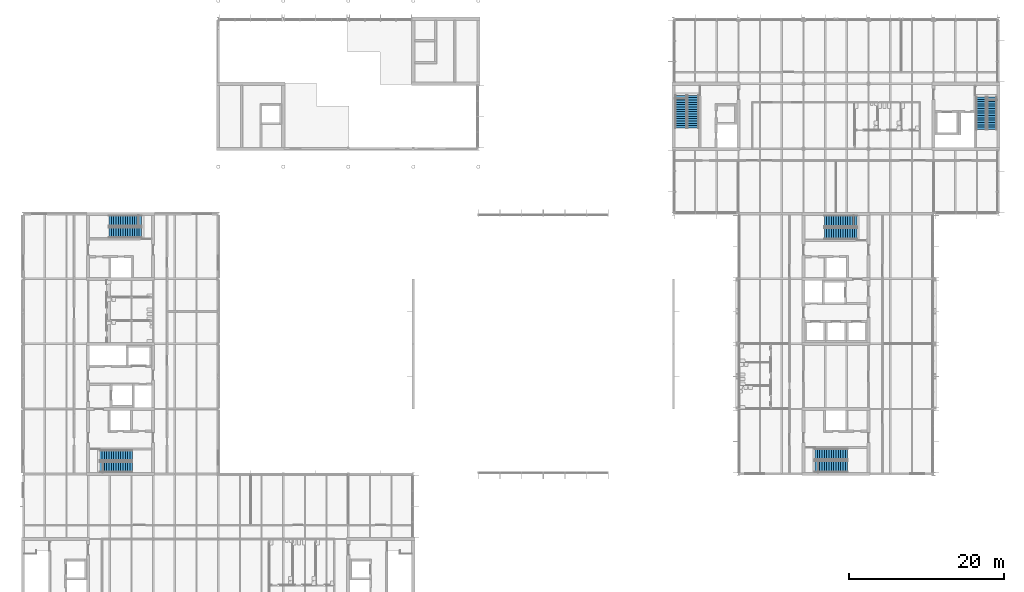
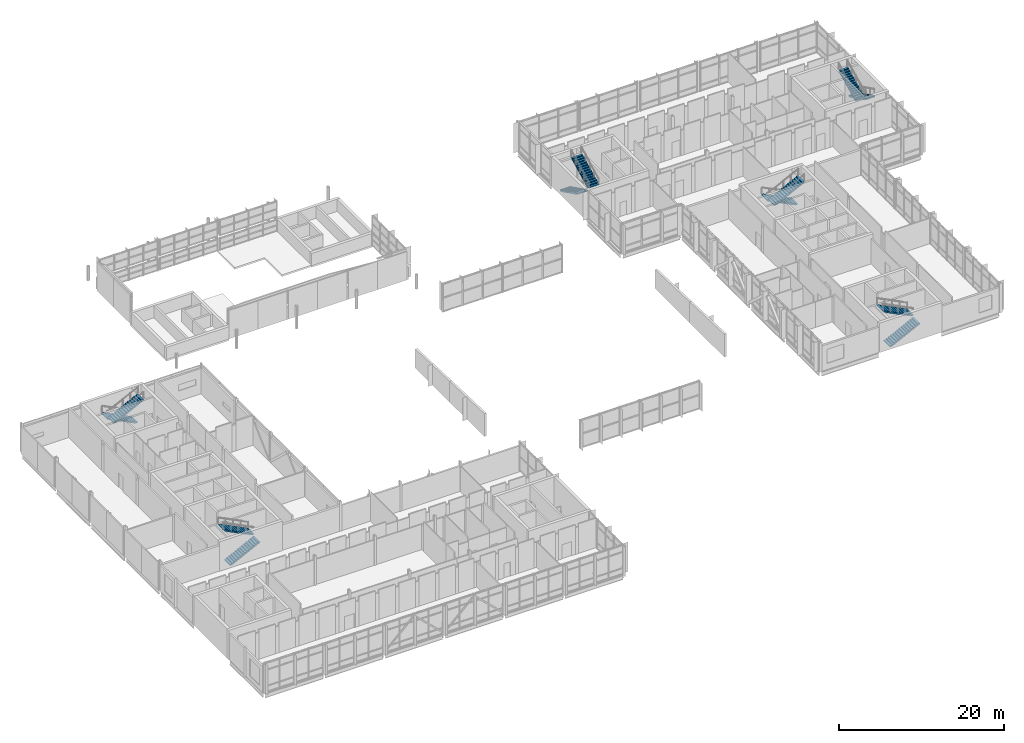
# One storey, part 50 of 72: 12 stair flights, 6 elements without a shape of their own.
"""IFC4 building model written with IfcOpenShell, lengths in metres."""

from ifc_helpers import new_model, si_unit, direction, frame, origin, place, context, subcontext, project, spatial, polyline, outline, extrude, material, type_object, element, aggregate, save


model = new_model("IFC4")

# Units and contexts
model_context = context("Model", 3, precision=1e-05, world=origin(), true_north=direction((0.0, 1.0)))
body_context = subcontext(model_context, "Body", "Model", "MODEL_VIEW")
ifc_project = project(units=[si_unit("LENGTHUNIT", "METRE"), si_unit("AREAUNIT", "SQUARE_METRE"), si_unit("VOLUMEUNIT", "CUBIC_METRE"), si_unit("PLANEANGLEUNIT", "RADIAN"), si_unit("MASSUNIT", "GRAM", prefix="KILO")], contexts=[model_context])

# Site, building, storey
site_placement = place(None, origin())
site = spatial("IfcSite", under=ifc_project, at=site_placement, CompositionType="ELEMENT")
building_placement = place(site_placement, origin())
building = spatial("IfcBuilding", under=site, at=building_placement, Name="Hlaing Beacon Police Headquarters", CompositionType="ELEMENT")
storey_placement = place(building_placement, frame((0.0, 0.0, 14.39990234375)))
storey = spatial("IfcBuildingStorey", under=building, at=storey_placement, Name="L03", CompositionType="ELEMENT", Elevation=14.39990234375)

# Stair, stair flights
ifc_material_1 = material(Name="Concrete C40/50", Category="concrete")
stair_type_1 = type_object("IfcStairType", Name="Half-turn stair 1300 wide, 4500 rise", PredefinedType="HALF_TURN_STAIR", material=ifc_material_1)
stair_1_placement = place(storey_placement, origin())
stair_1 = element("IfcStair", 1, at=stair_1_placement, inside=storey, type_object=stair_type_1, Name="Stair ST-R", PredefinedType="HALF_TURN_STAIR")
ifc_material_2 = material(Name="Concrete C40/50", Category="concrete")
stair_flight_type_1 = type_object("IfcStairFlightType", Name="Stair flight 1300 wide, 15 risers", PredefinedType="STRAIGHT", material=ifc_material_2)
stair_flight_1_placement = place(storey_placement, frame((133.550048828125, 82.300048828125, 0.0), z_axis=(0.0, 0.0, 1.0), x_axis=(0.0, -1.0, 0.0)))
stair_flight_1 = element("IfcStairFlight", 2, at=stair_flight_1_placement, type_object=stair_flight_type_1, Name="ST-R flight 1", NumberOfRisers=15, NumberOfTreads=14, PredefinedType="STRAIGHT", RiserHeight=0.15, TreadLength=0.3, context=body_context, shape_type="SweptSolid", body=[
    extrude(outline(polyline([(0.0, 0.0), (0.0, 0.14990234375), (0.300048828125, 0.14990234375), (0.300048828125, 0.300048828125), (0.60009765625, 0.300048828125), (0.60009765625, 0.449951171875), (0.89990234375, 0.449951171875), (0.89990234375, 0.60009765625), (1.199951171875, 0.60009765625), (1.199951171875, 0.75), (1.5, 0.75), (1.5, 0.89990234375), (1.800048828125, 0.89990234375), (1.800048828125, 1.050048828125), (2.10009765625, 1.050048828125), (2.10009765625, 1.199951171875), (2.39990234375, 1.199951171875), (2.39990234375, 1.35009765625), (2.699951171875, 1.35009765625), (2.699951171875, 1.5), (3.0, 1.5), (3.0, 1.64990234375), (3.300048828125, 1.64990234375), (3.300048828125, 1.800048828125), (3.60009765625, 1.800048828125), (3.60009765625, 1.949951171875), (3.89990234375, 1.949951171875), (3.89990234375, 2.10009765625), (4.199951171875, 2.10009765625), (4.199951171875, 2.25), (4.199951171875, 1.932373046875), (0.335205078125, 0.0), (0.0, 0.0)])), frame((0.0, 0.64990234375, 0.0), z_axis=(0.0, -1.0, 0.0), x_axis=(1.0, 0.0, 0.0)), (0.0, 0.0, 1.0), 1.300048828125),
])
stair_flight_2_placement = place(storey_placement, frame((132.14990234375, 78.10009765625, 2.25), z_axis=(0.0, 0.0, 1.0), x_axis=(0.0, 1.0, 0.0)))
stair_flight_2 = element("IfcStairFlight", 3, at=stair_flight_2_placement, type_object=stair_flight_type_1, Name="ST-R flight 2", NumberOfRisers=15, NumberOfTreads=14, PredefinedType="STRAIGHT", RiserHeight=0.15, TreadLength=0.3, context=body_context, shape_type="SweptSolid", body=[
    extrude(outline(polyline([(0.0, 0.0), (0.0, 0.14990234375), (0.300048828125, 0.14990234375), (0.300048828125, 0.300048828125), (0.60009765625, 0.300048828125), (0.60009765625, 0.449951171875), (0.89990234375, 0.449951171875), (0.89990234375, 0.60009765625), (1.199951171875, 0.60009765625), (1.199951171875, 0.75), (1.5, 0.75), (1.5, 0.89990234375), (1.800048828125, 0.89990234375), (1.800048828125, 1.050048828125), (2.10009765625, 1.050048828125), (2.10009765625, 1.199951171875), (2.39990234375, 1.199951171875), (2.39990234375, 1.35009765625), (2.699951171875, 1.35009765625), (2.699951171875, 1.5), (3.0, 1.5), (3.0, 1.64990234375), (3.300048828125, 1.64990234375), (3.300048828125, 1.800048828125), (3.60009765625, 1.800048828125), (3.60009765625, 1.949951171875), (3.89990234375, 1.949951171875), (3.89990234375, 2.10009765625), (4.199951171875, 2.10009765625), (4.199951171875, 2.25), (4.199951171875, 1.932373046875), (0.335205078125, 0.0), (0.0, 0.0)])), frame((0.0, 0.64990234375, 0.0), z_axis=(0.0, -1.0, 0.0), x_axis=(1.0, 0.0, 0.0)), (0.0, 0.0, 1.0), 1.300048828125),
])
aggregate(stair_1, [stair_flight_1, stair_flight_2])

ifc_material_3 = material(Name="Concrete C40/50", Category="concrete")
stair_type_2 = type_object("IfcStairType", Name="Half-turn stair 1400 wide, 4500 rise", PredefinedType="HALF_TURN_STAIR", material=ifc_material_3)
stair_2_placement = place(storey_placement, origin())
stair_2 = element("IfcStair", 4, at=stair_2_placement, inside=storey, type_object=stair_type_2, Name="Stair ST-P", PredefinedType="HALF_TURN_STAIR")
ifc_material_4 = material(Name="Concrete C40/50", Category="concrete")
stair_flight_type_2 = type_object("IfcStairFlightType", Name="Stair flight 1400 wide, 15 risers", PredefinedType="STRAIGHT", material=ifc_material_4)
stair_flight_3_placement = place(storey_placement, frame((23.699951171875, 66.300048828125, 0.0), z_axis=(0.0, 0.0, 1.0), x_axis=(-1.0, 0.0, 0.0)))
stair_flight_3 = element("IfcStairFlight", 5, at=stair_flight_3_placement, type_object=stair_flight_type_2, Name="ST-P flight 1", NumberOfRisers=15, NumberOfTreads=14, PredefinedType="STRAIGHT", RiserHeight=0.15, TreadLength=0.3, context=body_context, shape_type="SweptSolid", body=[
    extrude(outline(polyline([(0.0, 0.0), (0.0, 0.14990234375), (0.300048828125, 0.14990234375), (0.300048828125, 0.300048828125), (0.60009765625, 0.300048828125), (0.60009765625, 0.449951171875), (0.89990234375, 0.449951171875), (0.89990234375, 0.60009765625), (1.199951171875, 0.60009765625), (1.199951171875, 0.75), (1.5, 0.75), (1.5, 0.89990234375), (1.800048828125, 0.89990234375), (1.800048828125, 1.050048828125), (2.10009765625, 1.050048828125), (2.10009765625, 1.199951171875), (2.39990234375, 1.199951171875), (2.39990234375, 1.35009765625), (2.699951171875, 1.35009765625), (2.699951171875, 1.5), (3.0, 1.5), (3.0, 1.64990234375), (3.300048828125, 1.64990234375), (3.300048828125, 1.800048828125), (3.60009765625, 1.800048828125), (3.60009765625, 1.949951171875), (3.89990234375, 1.949951171875), (3.89990234375, 2.10009765625), (4.199951171875, 2.10009765625), (4.199951171875, 2.25), (4.199951171875, 1.932373046875), (0.335205078125, 0.0), (0.0, 0.0)])), frame((0.0, 0.699951171875, 0.0), z_axis=(0.0, -1.0, 0.0), x_axis=(1.0, 0.0, 0.0)), (0.0, 0.0, 1.0), 1.39990234375),
])
stair_flight_4_placement = place(storey_placement, frame((19.5, 64.800048828125, 2.25), z_axis=(0.0, 0.0, 1.0), x_axis=(1.0, 0.0, 0.0)))
stair_flight_4 = element("IfcStairFlight", 6, at=stair_flight_4_placement, type_object=stair_flight_type_2, Name="ST-P flight 2", NumberOfRisers=15, NumberOfTreads=14, PredefinedType="STRAIGHT", RiserHeight=0.15, TreadLength=0.3, context=body_context, shape_type="SweptSolid", body=[
    extrude(outline(polyline([(0.0, 0.0), (0.0, 0.14990234375), (0.300048828125, 0.14990234375), (0.300048828125, 0.300048828125), (0.60009765625, 0.300048828125), (0.60009765625, 0.449951171875), (0.89990234375, 0.449951171875), (0.89990234375, 0.60009765625), (1.199951171875, 0.60009765625), (1.199951171875, 0.75), (1.5, 0.75), (1.5, 0.89990234375), (1.800048828125, 0.89990234375), (1.800048828125, 1.050048828125), (2.10009765625, 1.050048828125), (2.10009765625, 1.199951171875), (2.39990234375, 1.199951171875), (2.39990234375, 1.35009765625), (2.699951171875, 1.35009765625), (2.699951171875, 1.5), (3.0, 1.5), (3.0, 1.64990234375), (3.300048828125, 1.64990234375), (3.300048828125, 1.800048828125), (3.60009765625, 1.800048828125), (3.60009765625, 1.949951171875), (3.89990234375, 1.949951171875), (3.89990234375, 2.10009765625), (4.199951171875, 2.10009765625), (4.199951171875, 2.25), (4.199951171875, 1.932373046875), (0.335205078125, 0.0), (0.0, 0.0)])), frame((0.0, 0.699951171875, 0.0), z_axis=(0.0, -1.0, 0.0), x_axis=(1.0, 0.0, 0.0)), (0.0, 0.0, 1.0), 1.39990234375),
])
aggregate(stair_2, [stair_flight_3, stair_flight_4])

stair_3_placement = place(storey_placement, origin())
stair_3 = element("IfcStair", 7, at=stair_3_placement, inside=storey, type_object=stair_type_2, Name="Stair ST-N", PredefinedType="HALF_TURN_STAIR")
stair_flight_5_placement = place(storey_placement, frame((18.300048828125, 34.5, 0.0), z_axis=(0.0, 0.0, 1.0), x_axis=(1.0, 0.0, 0.0)))
stair_flight_5 = element("IfcStairFlight", 8, at=stair_flight_5_placement, type_object=stair_flight_type_2, Name="ST-N flight 1", NumberOfRisers=15, NumberOfTreads=14, PredefinedType="STRAIGHT", RiserHeight=0.15, TreadLength=0.3, context=body_context, shape_type="SweptSolid", body=[
    extrude(outline(polyline([(0.0, 0.0), (0.0, 0.14990234375), (0.300048828125, 0.14990234375), (0.300048828125, 0.300048828125), (0.60009765625, 0.300048828125), (0.60009765625, 0.449951171875), (0.89990234375, 0.449951171875), (0.89990234375, 0.60009765625), (1.199951171875, 0.60009765625), (1.199951171875, 0.75), (1.5, 0.75), (1.5, 0.89990234375), (1.800048828125, 0.89990234375), (1.800048828125, 1.050048828125), (2.10009765625, 1.050048828125), (2.10009765625, 1.199951171875), (2.39990234375, 1.199951171875), (2.39990234375, 1.35009765625), (2.699951171875, 1.35009765625), (2.699951171875, 1.5), (3.0, 1.5), (3.0, 1.64990234375), (3.300048828125, 1.64990234375), (3.300048828125, 1.800048828125), (3.60009765625, 1.800048828125), (3.60009765625, 1.949951171875), (3.89990234375, 1.949951171875), (3.89990234375, 2.10009765625), (4.199951171875, 2.10009765625), (4.199951171875, 2.25), (4.199951171875, 1.932373046875), (0.335205078125, 0.0), (0.0, 0.0)])), frame((0.0, 0.699951171875, 0.0), z_axis=(0.0, -1.0, 0.0), x_axis=(1.0, 0.0, 0.0)), (0.0, 0.0, 1.0), 1.39990234375),
])
stair_flight_6_placement = place(storey_placement, frame((22.5, 36.0, 2.25), z_axis=(0.0, 0.0, 1.0), x_axis=(-1.0, 0.0, 0.0)))
stair_flight_6 = element("IfcStairFlight", 9, at=stair_flight_6_placement, type_object=stair_flight_type_2, Name="ST-N flight 2", NumberOfRisers=15, NumberOfTreads=14, PredefinedType="STRAIGHT", RiserHeight=0.15, TreadLength=0.3, context=body_context, shape_type="SweptSolid", body=[
    extrude(outline(polyline([(0.0, 0.0), (0.0, 0.14990234375), (0.300048828125, 0.14990234375), (0.300048828125, 0.300048828125), (0.60009765625, 0.300048828125), (0.60009765625, 0.449951171875), (0.89990234375, 0.449951171875), (0.89990234375, 0.60009765625), (1.199951171875, 0.60009765625), (1.199951171875, 0.75), (1.5, 0.75), (1.5, 0.89990234375), (1.800048828125, 0.89990234375), (1.800048828125, 1.050048828125), (2.10009765625, 1.050048828125), (2.10009765625, 1.199951171875), (2.39990234375, 1.199951171875), (2.39990234375, 1.35009765625), (2.699951171875, 1.35009765625), (2.699951171875, 1.5), (3.0, 1.5), (3.0, 1.64990234375), (3.300048828125, 1.64990234375), (3.300048828125, 1.800048828125), (3.60009765625, 1.800048828125), (3.60009765625, 1.949951171875), (3.89990234375, 1.949951171875), (3.89990234375, 2.10009765625), (4.199951171875, 2.10009765625), (4.199951171875, 2.25), (4.199951171875, 1.932373046875), (0.335205078125, 0.0), (0.0, 0.0)])), frame((0.0, 0.699951171875, 0.0), z_axis=(0.0, -1.0, 0.0), x_axis=(1.0, 0.0, 0.0)), (0.0, 0.0, 1.0), 1.39990234375),
])
aggregate(stair_3, [stair_flight_5, stair_flight_6])

ifc_material_5 = material(Name="Concrete C40/50", Category="concrete")
stair_type_3 = type_object("IfcStairType", Name="Half-turn stair 1500 wide, 4500 rise", PredefinedType="HALF_TURN_STAIR", material=ifc_material_5)
stair_4_placement = place(storey_placement, origin())
stair_4 = element("IfcStair", 10, at=stair_4_placement, inside=storey, type_object=stair_type_3, Name="Stair ST-M", PredefinedType="HALF_TURN_STAIR")
ifc_material_6 = material(Name="Concrete C40/50", Category="concrete")
stair_flight_type_3 = type_object("IfcStairFlightType", Name="Stair flight 1500 wide, 15 risers", PredefinedType="STRAIGHT", material=ifc_material_6)
stair_flight_7_placement = place(storey_placement, frame((116.10009765625, 66.25, 0.0), z_axis=(0.0, 0.0, 1.0), x_axis=(-1.0, 0.0, 0.0)))
stair_flight_7 = element("IfcStairFlight", 11, at=stair_flight_7_placement, type_object=stair_flight_type_3, Name="ST-M flight 1", NumberOfRisers=15, NumberOfTreads=14, PredefinedType="STRAIGHT", RiserHeight=0.15, TreadLength=0.3, context=body_context, shape_type="SweptSolid", body=[
    extrude(outline(polyline([(0.0, 0.0), (0.0, 0.14990234375), (0.300048828125, 0.14990234375), (0.300048828125, 0.300048828125), (0.60009765625, 0.300048828125), (0.60009765625, 0.449951171875), (0.89990234375, 0.449951171875), (0.89990234375, 0.60009765625), (1.199951171875, 0.60009765625), (1.199951171875, 0.75), (1.5, 0.75), (1.5, 0.89990234375), (1.800048828125, 0.89990234375), (1.800048828125, 1.050048828125), (2.10009765625, 1.050048828125), (2.10009765625, 1.199951171875), (2.39990234375, 1.199951171875), (2.39990234375, 1.35009765625), (2.699951171875, 1.35009765625), (2.699951171875, 1.5), (3.0, 1.5), (3.0, 1.64990234375), (3.300048828125, 1.64990234375), (3.300048828125, 1.800048828125), (3.60009765625, 1.800048828125), (3.60009765625, 1.949951171875), (3.89990234375, 1.949951171875), (3.89990234375, 2.10009765625), (4.199951171875, 2.10009765625), (4.199951171875, 2.25), (4.199951171875, 1.932373046875), (0.335205078125, 0.0), (0.0, 0.0)])), frame((0.0, 0.75, 0.0), z_axis=(0.0, -1.0, 0.0), x_axis=(1.0, 0.0, 0.0)), (0.0, 0.0, 1.0), 1.5),
])
stair_flight_8_placement = place(storey_placement, frame((111.89990234375, 64.64990234375, 2.25), z_axis=(0.0, 0.0, 1.0), x_axis=(1.0, 0.0, 0.0)))
stair_flight_8 = element("IfcStairFlight", 12, at=stair_flight_8_placement, type_object=stair_flight_type_3, Name="ST-M flight 2", NumberOfRisers=15, NumberOfTreads=14, PredefinedType="STRAIGHT", RiserHeight=0.15, TreadLength=0.3, context=body_context, shape_type="SweptSolid", body=[
    extrude(outline(polyline([(0.0, 0.0), (0.0, 0.14990234375), (0.300048828125, 0.14990234375), (0.300048828125, 0.300048828125), (0.60009765625, 0.300048828125), (0.60009765625, 0.449951171875), (0.89990234375, 0.449951171875), (0.89990234375, 0.60009765625), (1.199951171875, 0.60009765625), (1.199951171875, 0.75), (1.5, 0.75), (1.5, 0.89990234375), (1.800048828125, 0.89990234375), (1.800048828125, 1.050048828125), (2.10009765625, 1.050048828125), (2.10009765625, 1.199951171875), (2.39990234375, 1.199951171875), (2.39990234375, 1.35009765625), (2.699951171875, 1.35009765625), (2.699951171875, 1.5), (3.0, 1.5), (3.0, 1.64990234375), (3.300048828125, 1.64990234375), (3.300048828125, 1.800048828125), (3.60009765625, 1.800048828125), (3.60009765625, 1.949951171875), (3.89990234375, 1.949951171875), (3.89990234375, 2.10009765625), (4.199951171875, 2.10009765625), (4.199951171875, 2.25), (4.199951171875, 1.932373046875), (0.335205078125, 0.0), (0.0, 0.0)])), frame((0.0, 0.75, 0.0), z_axis=(0.0, -1.0, 0.0), x_axis=(1.0, 0.0, 0.0)), (0.0, 0.0, 1.0), 1.5),
])
aggregate(stair_4, [stair_flight_7, stair_flight_8])

stair_5_placement = place(storey_placement, origin())
stair_5 = element("IfcStair", 13, at=stair_5_placement, inside=storey, type_object=stair_type_3, Name="Stair ST-L", PredefinedType="HALF_TURN_STAIR")
stair_flight_9_placement = place(storey_placement, frame((110.699951171875, 34.550048828125, 0.0), z_axis=(0.0, 0.0, 1.0), x_axis=(1.0, 0.0, 0.0)))
stair_flight_9 = element("IfcStairFlight", 14, at=stair_flight_9_placement, type_object=stair_flight_type_3, Name="ST-L flight 1", NumberOfRisers=15, NumberOfTreads=14, PredefinedType="STRAIGHT", RiserHeight=0.15, TreadLength=0.3, context=body_context, shape_type="SweptSolid", body=[
    extrude(outline(polyline([(0.0, 0.0), (0.0, 0.14990234375), (0.300048828125, 0.14990234375), (0.300048828125, 0.300048828125), (0.60009765625, 0.300048828125), (0.60009765625, 0.449951171875), (0.89990234375, 0.449951171875), (0.89990234375, 0.60009765625), (1.199951171875, 0.60009765625), (1.199951171875, 0.75), (1.5, 0.75), (1.5, 0.89990234375), (1.800048828125, 0.89990234375), (1.800048828125, 1.050048828125), (2.10009765625, 1.050048828125), (2.10009765625, 1.199951171875), (2.39990234375, 1.199951171875), (2.39990234375, 1.35009765625), (2.699951171875, 1.35009765625), (2.699951171875, 1.5), (3.0, 1.5), (3.0, 1.64990234375), (3.300048828125, 1.64990234375), (3.300048828125, 1.800048828125), (3.60009765625, 1.800048828125), (3.60009765625, 1.949951171875), (3.89990234375, 1.949951171875), (3.89990234375, 2.10009765625), (4.199951171875, 2.10009765625), (4.199951171875, 2.25), (4.199951171875, 1.932373046875), (0.335205078125, 0.0), (0.0, 0.0)])), frame((0.0, 0.75, 0.0), z_axis=(0.0, -1.0, 0.0), x_axis=(1.0, 0.0, 0.0)), (0.0, 0.0, 1.0), 1.5),
])
stair_flight_10_placement = place(storey_placement, frame((114.89990234375, 36.14990234375, 2.25), z_axis=(0.0, 0.0, 1.0), x_axis=(-1.0, 0.0, 0.0)))
stair_flight_10 = element("IfcStairFlight", 15, at=stair_flight_10_placement, type_object=stair_flight_type_3, Name="ST-L flight 2", NumberOfRisers=15, NumberOfTreads=14, PredefinedType="STRAIGHT", RiserHeight=0.15, TreadLength=0.3, context=body_context, shape_type="SweptSolid", body=[
    extrude(outline(polyline([(0.0, 0.0), (0.0, 0.14990234375), (0.300048828125, 0.14990234375), (0.300048828125, 0.300048828125), (0.60009765625, 0.300048828125), (0.60009765625, 0.449951171875), (0.89990234375, 0.449951171875), (0.89990234375, 0.60009765625), (1.199951171875, 0.60009765625), (1.199951171875, 0.75), (1.5, 0.75), (1.5, 0.89990234375), (1.800048828125, 0.89990234375), (1.800048828125, 1.050048828125), (2.10009765625, 1.050048828125), (2.10009765625, 1.199951171875), (2.39990234375, 1.199951171875), (2.39990234375, 1.35009765625), (2.699951171875, 1.35009765625), (2.699951171875, 1.5), (3.0, 1.5), (3.0, 1.64990234375), (3.300048828125, 1.64990234375), (3.300048828125, 1.800048828125), (3.60009765625, 1.800048828125), (3.60009765625, 1.949951171875), (3.89990234375, 1.949951171875), (3.89990234375, 2.10009765625), (4.199951171875, 2.10009765625), (4.199951171875, 2.25), (4.199951171875, 1.932373046875), (0.335205078125, 0.0), (0.0, 0.0)])), frame((0.0, 0.75, 0.0), z_axis=(0.0, -1.0, 0.0), x_axis=(1.0, 0.0, 0.0)), (0.0, 0.0, 1.0), 1.5),
])
aggregate(stair_5, [stair_flight_9, stair_flight_10])

stair_6_placement = place(storey_placement, origin())
stair_6 = element("IfcStair", 16, at=stair_6_placement, inside=storey, type_object=stair_type_3, Name="Stair ST-Q", PredefinedType="HALF_TURN_STAIR")
stair_flight_11_placement = place(storey_placement, frame((93.35009765625, 82.5, 0.0), z_axis=(0.0, 0.0, 1.0), x_axis=(0.0, -1.0, 0.0)))
stair_flight_11 = element("IfcStairFlight", 17, at=stair_flight_11_placement, type_object=stair_flight_type_3, Name="ST-Q flight 1", NumberOfRisers=15, NumberOfTreads=14, PredefinedType="STRAIGHT", RiserHeight=0.15, TreadLength=0.3, context=body_context, shape_type="SweptSolid", body=[
    extrude(outline(polyline([(0.0, 0.0), (0.0, 0.14990234375), (0.300048828125, 0.14990234375), (0.300048828125, 0.300048828125), (0.60009765625, 0.300048828125), (0.60009765625, 0.449951171875), (0.89990234375, 0.449951171875), (0.89990234375, 0.60009765625), (1.199951171875, 0.60009765625), (1.199951171875, 0.75), (1.5, 0.75), (1.5, 0.89990234375), (1.800048828125, 0.89990234375), (1.800048828125, 1.050048828125), (2.10009765625, 1.050048828125), (2.10009765625, 1.199951171875), (2.39990234375, 1.199951171875), (2.39990234375, 1.35009765625), (2.699951171875, 1.35009765625), (2.699951171875, 1.5), (3.0, 1.5), (3.0, 1.64990234375), (3.300048828125, 1.64990234375), (3.300048828125, 1.800048828125), (3.60009765625, 1.800048828125), (3.60009765625, 1.949951171875), (3.89990234375, 1.949951171875), (3.89990234375, 2.10009765625), (4.199951171875, 2.10009765625), (4.199951171875, 2.25), (4.199951171875, 1.932373046875), (0.335205078125, 0.0), (0.0, 0.0)])), frame((0.0, 0.75, 0.0), z_axis=(0.0, -1.0, 0.0), x_axis=(1.0, 0.0, 0.0)), (0.0, 0.0, 1.0), 1.5),
])
stair_flight_12_placement = place(storey_placement, frame((94.949951171875, 78.300048828125, 2.25), z_axis=(0.0, 0.0, 1.0), x_axis=(0.0, 1.0, 0.0)))
stair_flight_12 = element("IfcStairFlight", 18, at=stair_flight_12_placement, type_object=stair_flight_type_3, Name="ST-Q flight 2", NumberOfRisers=15, NumberOfTreads=14, PredefinedType="STRAIGHT", RiserHeight=0.15, TreadLength=0.3, context=body_context, shape_type="SweptSolid", body=[
    extrude(outline(polyline([(0.0, 0.0), (0.0, 0.14990234375), (0.300048828125, 0.14990234375), (0.300048828125, 0.300048828125), (0.60009765625, 0.300048828125), (0.60009765625, 0.449951171875), (0.89990234375, 0.449951171875), (0.89990234375, 0.60009765625), (1.199951171875, 0.60009765625), (1.199951171875, 0.75), (1.5, 0.75), (1.5, 0.89990234375), (1.800048828125, 0.89990234375), (1.800048828125, 1.050048828125), (2.10009765625, 1.050048828125), (2.10009765625, 1.199951171875), (2.39990234375, 1.199951171875), (2.39990234375, 1.35009765625), (2.699951171875, 1.35009765625), (2.699951171875, 1.5), (3.0, 1.5), (3.0, 1.64990234375), (3.300048828125, 1.64990234375), (3.300048828125, 1.800048828125), (3.60009765625, 1.800048828125), (3.60009765625, 1.949951171875), (3.89990234375, 1.949951171875), (3.89990234375, 2.10009765625), (4.199951171875, 2.10009765625), (4.199951171875, 2.25), (4.199951171875, 1.932373046875), (0.335205078125, 0.0), (0.0, 0.0)])), frame((0.0, 0.75, 0.0), z_axis=(0.0, -1.0, 0.0), x_axis=(1.0, 0.0, 0.0)), (0.0, 0.0, 1.0), 1.5),
])
aggregate(stair_6, [stair_flight_11, stair_flight_12])

save(model, "model.ifc")
